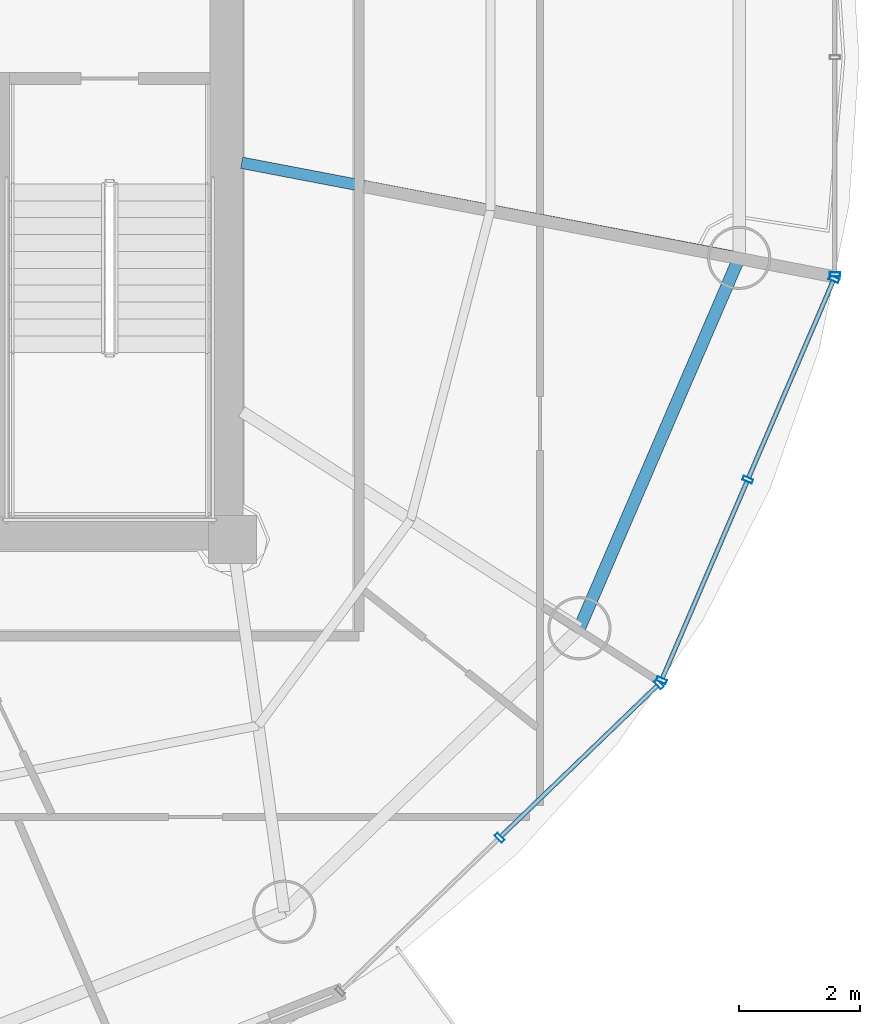
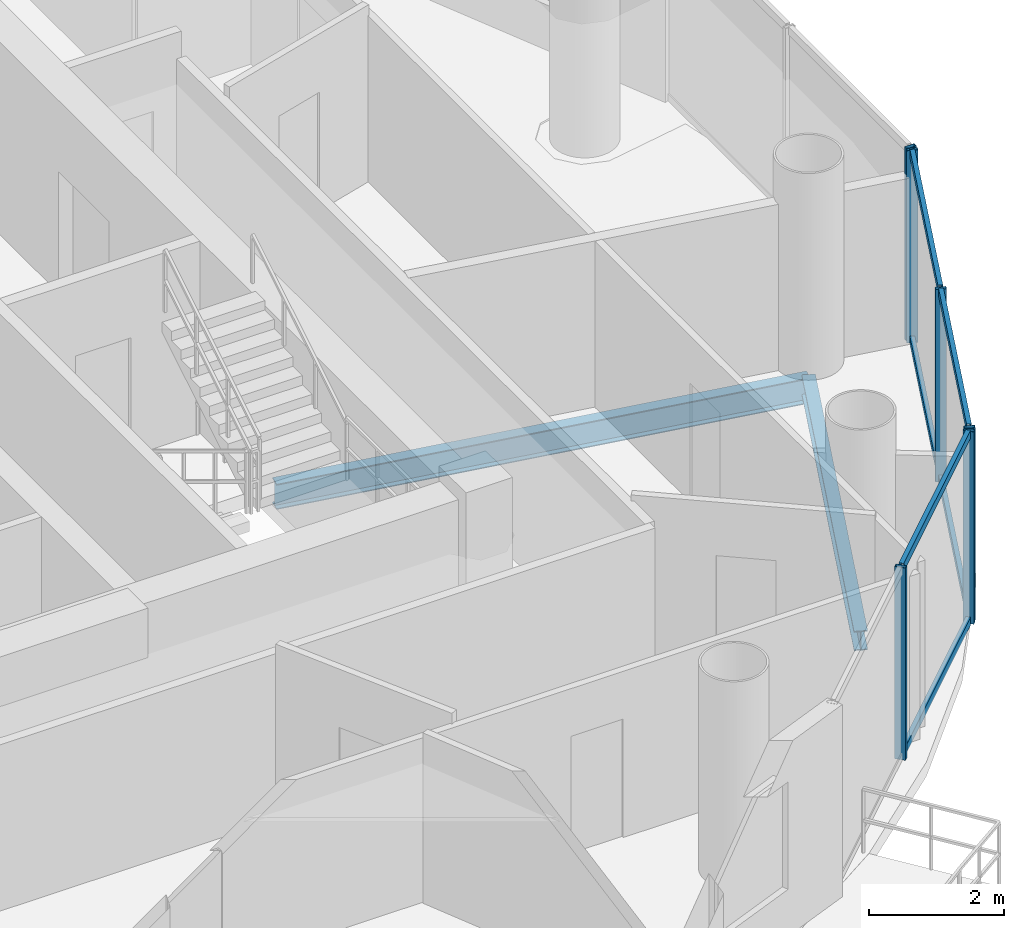
# One storey, part 11 of 24: 12 members, 2 beams, 3 elements without a shape of their own.
"""IFC4 building model written with IfcOpenShell, lengths in metres."""

from ifc_helpers import new_model, si_unit, direction, frame, origin, origin_2d, place, context, subcontext, project, spatial, hollow_rectangle, i_section, extrude, source, transform, mapped, material, material_profile, profile_set, type_object, element, aggregate, save


model = new_model("IFC4")

# Units and contexts
model_context = context("Model", 3, precision=1e-05, world=origin(), true_north=direction((-0.2419218956, 0.970295726276)))
body_context = subcontext(model_context, "Body", "Model", "MODEL_VIEW")
ifc_project = project(units=[si_unit("LENGTHUNIT", "METRE"), si_unit("AREAUNIT", "SQUARE_METRE"), si_unit("VOLUMEUNIT", "CUBIC_METRE"), si_unit("PLANEANGLEUNIT", "RADIAN"), si_unit("MASSUNIT", "GRAM", prefix="KILO")], contexts=[model_context])

# Site, building, storey
site_placement = place(None, origin())
site = spatial("IfcSite", under=ifc_project, at=site_placement, CompositionType="ELEMENT")
building_placement = place(site_placement, origin())
building = spatial("IfcBuilding", under=site, at=building_placement, Name="Cobrevalo Terracotta Tower", CompositionType="ELEMENT")
storey_placement = place(building_placement, frame((0.0, 0.0, 293.199951171875)))
storey = spatial("IfcBuildingStorey", under=building, at=storey_placement, Name="L77", CompositionType="ELEMENT", Elevation=293.199951171875)

# Beams
ifc_material_1 = material(Name="Steel S355", Category="steel")
ifc_material_profile_1 = material_profile(ifc_material_1, i_section(OverallWidth=0.19091796875, OverallDepth=0.4599609375, WebThickness=0.010009765625, FlangeThickness=0.01611328125, at=origin_2d()), Name="W 460x82")
ifc_profile_set_1 = profile_set([ifc_material_profile_1], Name="Steel S355")
beam_type_1 = type_object("IfcBeamType", Name="Structural Beam W 460x82 (Steel S355)", PredefinedType="BEAM", material=ifc_profile_set_1)
beam_1_placement = place(storey_placement, frame((55.408935546875, 23.4736328125, -0.489990234375), z_axis=(-0.982229562106, 0.187683476432, 0.0), x_axis=(-0.187683476432, -0.982229562106, 0.0)))
element("IfcBeam", 1, at=beam_1_placement, inside=storey, type_object=beam_type_1, Name="L77 radial floor girder 16", PredefinedType="BEAM", context=body_context, shape_type="SweptSolid", body=[
    extrude(i_section(OverallWidth=0.19091796875, OverallDepth=0.4599609375, WebThickness=0.010009765625, FlangeThickness=0.01611328125, at=origin_2d()), origin(), (0.0, 0.0, 1.0), 8.4033203125),
])
ifc_material_profile_2 = material_profile(ifc_material_1, i_section(OverallWidth=0.205078125, OverallDepth=0.35400390625, WebThickness=0.009521484375, FlangeThickness=0.016845703125, at=origin_2d()), Name="W 360x79")
ifc_profile_set_2 = profile_set([ifc_material_profile_2], Name="Steel S355")
beam_type_2 = type_object("IfcBeamType", Name="Structural Spandrel W 360x79 (Steel S355)", PredefinedType="SPANDREL", material=ifc_profile_set_2)
beam_2_placement = place(storey_placement, frame((52.758544921875, 17.32763671875, -0.43701171875), z_axis=(0.395987390706, 0.918255948198, 0.0), x_axis=(-0.918255948198, 0.395987390706, 0.0)))
element("IfcBeam", 2, at=beam_2_placement, inside=storey, type_object=beam_type_2, Name="L77 perimeter ring spandrel 15", PredefinedType="SPANDREL", context=body_context, shape_type="SweptSolid", body=[
    extrude(i_section(OverallWidth=0.205078125, OverallDepth=0.35400390625, WebThickness=0.009521484375, FlangeThickness=0.016845703125, at=origin_2d()), origin(), (0.0, 0.0, 1.0), 6.693115234375),
])

# Curtain wall, members
ifc_material_2 = material(Name="Anodized aluminium", Category="aluminium")
curtain_wall_type = type_object("IfcCurtainWallType", Name="Upper-tower triple-glazed penthouse curtain wall CW-U3", PredefinedType="NOTDEFINED", material=ifc_material_2)
curtain_wall_1_placement = place(storey_placement, origin())
curtain_wall_1 = element("IfcCurtainWall", 3, at=curtain_wall_1_placement, inside=storey, type_object=curtain_wall_type, Name="L77 curtain wall CW-L77-S14", PredefinedType="NOTDEFINED")
ifc_material_profile_3 = material_profile(ifc_material_2, hollow_rectangle(XDim=0.070068359375, YDim=0.169921875, WallThickness=0.00439453125, at=origin_2d()), Name="CWM 70x170")
ifc_profile_set_3 = profile_set([ifc_material_profile_3], Name="Anodized aluminium")
member_type_1 = type_object("IfcMemberType", Name="Upper tower unitised mullion 70x170", PredefinedType="MULLION", material=ifc_profile_set_3)
shared_shape_1 = source(origin(), body_context, "Body", "SweptSolid", [
    extrude(hollow_rectangle(XDim=0.070068359375, YDim=0.169921875, WallThickness=0.00439453125, at=origin_2d()), origin(), (0.0, 0.0, 1.0), 3.489990234375),
])
member_1_placement = place(storey_placement, frame((51.43359375, 13.85205078125, 0.0), z_axis=(0.0, 0.0, 1.0), x_axis=(0.71999418085, 0.69398010025, 0.0)))
member_1 = element("IfcMember", 4, at=member_1_placement, type_object=member_type_1, Name="CW-L77-S14 vertical mullion 02", PredefinedType="MULLION", context=body_context, shape_type="MappedRepresentation", body=[
    mapped(shared_shape_1, transform((0.0, 0.0, 0.0), scale=1.0)),
])
member_2_placement = place(storey_placement, frame((54.07666015625, 16.399658203125, 0.0), z_axis=(0.0, 0.0, 1.0), x_axis=(0.71999418085, 0.69398010025, 0.0)))
member_2 = element("IfcMember", 5, at=member_2_placement, type_object=member_type_1, Name="CW-L77-S14 vertical mullion 03", PredefinedType="MULLION", context=body_context, shape_type="MappedRepresentation", body=[
    mapped(shared_shape_1, transform((0.0, 0.0, 0.0), scale=1.0)),
])

curtain_wall_2_placement = place(storey_placement, origin())
curtain_wall_2 = element("IfcCurtainWall", 6, at=curtain_wall_2_placement, inside=storey, type_object=curtain_wall_type, Name="L77 curtain wall CW-L77-S15", PredefinedType="NOTDEFINED")
member_3_placement = place(storey_placement, frame((54.121337890625, 16.46435546875, 0.0), z_axis=(0.0, 0.0, 1.0), x_axis=(0.39482403454, 0.91875675875, 0.0)))
member_3 = element("IfcMember", 7, at=member_3_placement, type_object=member_type_1, Name="CW-L77-S15 vertical mullion 01", PredefinedType="MULLION", context=body_context, shape_type="MappedRepresentation", body=[
    mapped(shared_shape_1, transform((0.0, 0.0, 0.0), scale=1.0)),
])
member_4_placement = place(storey_placement, frame((55.5517578125, 19.79248046875, 0.0), z_axis=(0.0, 0.0, 1.0), x_axis=(0.39482403454, 0.91875675875, 0.0)))
member_4 = element("IfcMember", 8, at=member_4_placement, type_object=member_type_1, Name="CW-L77-S15 vertical mullion 02", PredefinedType="MULLION", context=body_context, shape_type="MappedRepresentation", body=[
    mapped(shared_shape_1, transform((0.0, 0.0, 0.0), scale=1.0)),
])
member_5_placement = place(storey_placement, frame((56.98193359375, 23.120849609375, 0.0), z_axis=(0.0, 0.0, 1.0), x_axis=(0.39482403454, 0.91875675875, 0.0)))
member_5 = element("IfcMember", 9, at=member_5_placement, type_object=member_type_1, Name="CW-L77-S15 vertical mullion 03", PredefinedType="MULLION", context=body_context, shape_type="MappedRepresentation", body=[
    mapped(shared_shape_1, transform((0.0, 0.0, 0.0), scale=1.0)),
])

# Curtain wall, member
curtain_wall_3_placement = place(storey_placement, origin())
curtain_wall_3 = element("IfcCurtainWall", 10, at=curtain_wall_3_placement, inside=storey, type_object=curtain_wall_type, Name="L77 curtain wall CW-L77-S16", PredefinedType="NOTDEFINED")
member_6_placement = place(storey_placement, frame((56.997802734375, 23.19775390625, 0.0), z_axis=(0.0, 0.0, 1.0), x_axis=(0.0, 1.0, 0.0)))
member_6 = element("IfcMember", 11, at=member_6_placement, type_object=member_type_1, Name="CW-L77-S16 vertical mullion 01", PredefinedType="MULLION", context=body_context, shape_type="MappedRepresentation", body=[
    mapped(shared_shape_1, transform((0.0, 0.0, 0.0), scale=1.0)),
])
aggregate(curtain_wall_3, [member_6])

# Member
ifc_material_profile_4 = material_profile(ifc_material_2, hollow_rectangle(XDim=0.074951171875, YDim=0.14990234375, WallThickness=0.00439453125, at=origin_2d()), Name="CWT 75x150")
ifc_profile_set_4 = profile_set([ifc_material_profile_4], Name="Anodized aluminium")
member_type_2 = type_object("IfcMemberType", Name="Tower unitised aluminium transom 75x150", PredefinedType="USERDEFINED", material=ifc_profile_set_4)
shared_shape_2 = source(origin(), body_context, "Body", "SweptSolid", [
    extrude(hollow_rectangle(XDim=0.074951171875, YDim=0.14990234375, WallThickness=0.00439453125, at=origin_2d()), origin(), (0.0, 0.0, 1.0), 3.59130859375),
])
member_7_placement = place(storey_placement, frame((51.462158203125, 13.879638671875, 0.050048828125), z_axis=(0.719971660756, 0.694003463758, 0.0), x_axis=(-0.694003463758, 0.719971660756, 0.0)))
member_7 = element("IfcMember", 12, at=member_7_placement, type_object=member_type_2, Name="CW-L77-S14 transom B02-T1", ObjectType="TRANSOM", PredefinedType="USERDEFINED", context=body_context, shape_type="MappedRepresentation", body=[
    mapped(shared_shape_2, transform((0.0, 0.0, 0.0), scale=1.0)),
])

member_8_placement = place(storey_placement, frame((51.462158203125, 13.879638671875, 3.43994140625), z_axis=(0.719971660756, 0.694003463758, 0.0), x_axis=(-0.694003463758, 0.719971660756, 0.0)))
member_8 = element("IfcMember", 13, at=member_8_placement, type_object=member_type_2, Name="CW-L77-S14 transom B02-T2", ObjectType="TRANSOM", PredefinedType="USERDEFINED", context=body_context, shape_type="MappedRepresentation", body=[
    mapped(shared_shape_2, transform((0.0, 0.0, 0.0), scale=1.0)),
])

aggregate(curtain_wall_1, [member_1, member_2, member_7, member_8])

shared_shape_3 = source(origin(), body_context, "Body", "SweptSolid", [
    extrude(hollow_rectangle(XDim=0.074951171875, YDim=0.14990234375, WallThickness=0.00439453125, at=origin_2d()), origin(), (0.0, 0.0, 1.0), 3.542724609375),
])
member_9_placement = place(storey_placement, frame((54.13720703125, 16.5009765625, 0.050048828125), z_axis=(0.394809056766, 0.918763195114, 0.0), x_axis=(-0.918763195114, 0.394809056766, 0.0)))
member_9 = element("IfcMember", 14, at=member_9_placement, type_object=member_type_2, Name="CW-L77-S15 transom B01-T1", ObjectType="TRANSOM", PredefinedType="USERDEFINED", context=body_context, shape_type="MappedRepresentation", body=[
    mapped(shared_shape_3, transform((0.0, 0.0, 0.0), scale=1.0)),
])

member_10_placement = place(storey_placement, frame((54.13720703125, 16.5009765625, 3.43994140625), z_axis=(0.394809056766, 0.918763195114, 0.0), x_axis=(-0.918763195114, 0.394809056766, 0.0)))
member_10 = element("IfcMember", 15, at=member_10_placement, type_object=member_type_2, Name="CW-L77-S15 transom B01-T2", ObjectType="TRANSOM", PredefinedType="USERDEFINED", context=body_context, shape_type="MappedRepresentation", body=[
    mapped(shared_shape_3, transform((0.0, 0.0, 0.0), scale=1.0)),
])

member_11_placement = place(storey_placement, frame((55.5673828125, 19.829345703125, 0.050048828125), z_axis=(0.394867226589, 0.918738196314, 0.0), x_axis=(-0.918738196314, 0.394867226589, 0.0)))
member_11 = element("IfcMember", 16, at=member_11_placement, type_object=member_type_2, Name="CW-L77-S15 transom B02-T1", ObjectType="TRANSOM", PredefinedType="USERDEFINED", context=body_context, shape_type="MappedRepresentation", body=[
    mapped(shared_shape_3, transform((0.0, 0.0, 0.0), scale=1.0)),
])

member_12_placement = place(storey_placement, frame((55.5673828125, 19.829345703125, 3.43994140625), z_axis=(0.394867226589, 0.918738196314, 0.0), x_axis=(-0.918738196314, 0.394867226589, 0.0)))
member_12 = element("IfcMember", 17, at=member_12_placement, type_object=member_type_2, Name="CW-L77-S15 transom B02-T2", ObjectType="TRANSOM", PredefinedType="USERDEFINED", context=body_context, shape_type="MappedRepresentation", body=[
    mapped(shared_shape_3, transform((0.0, 0.0, 0.0), scale=1.0)),
])

aggregate(curtain_wall_2, [member_3, member_4, member_5, member_9, member_10, member_11, member_12])

save(model, "model.ifc")
